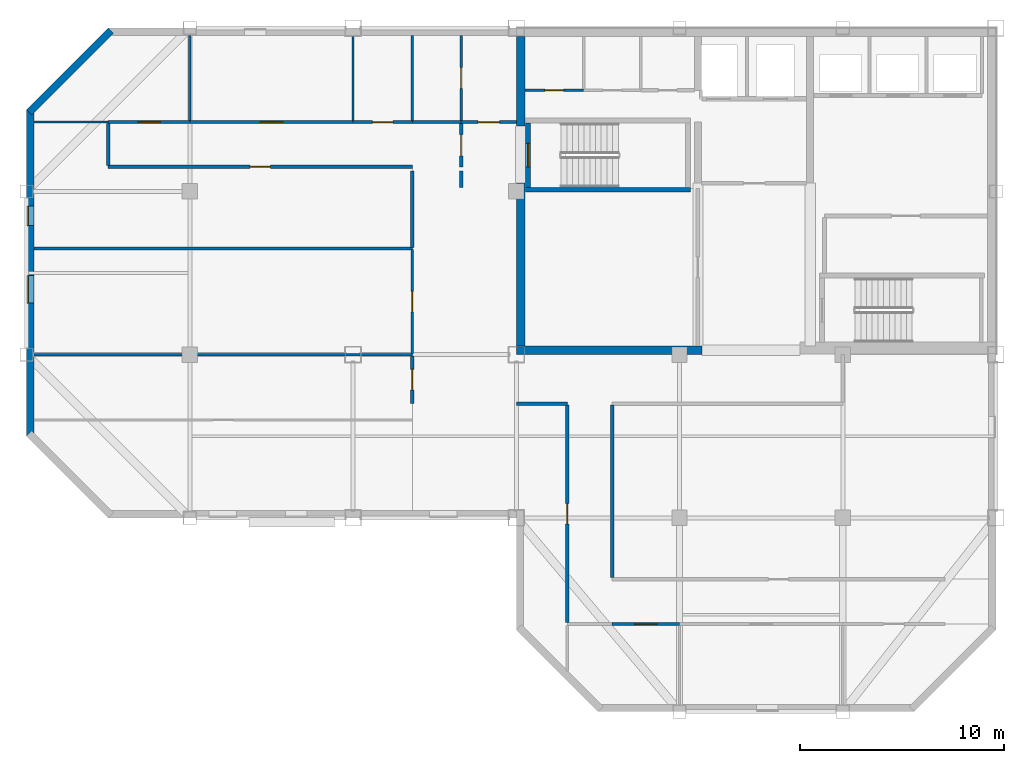
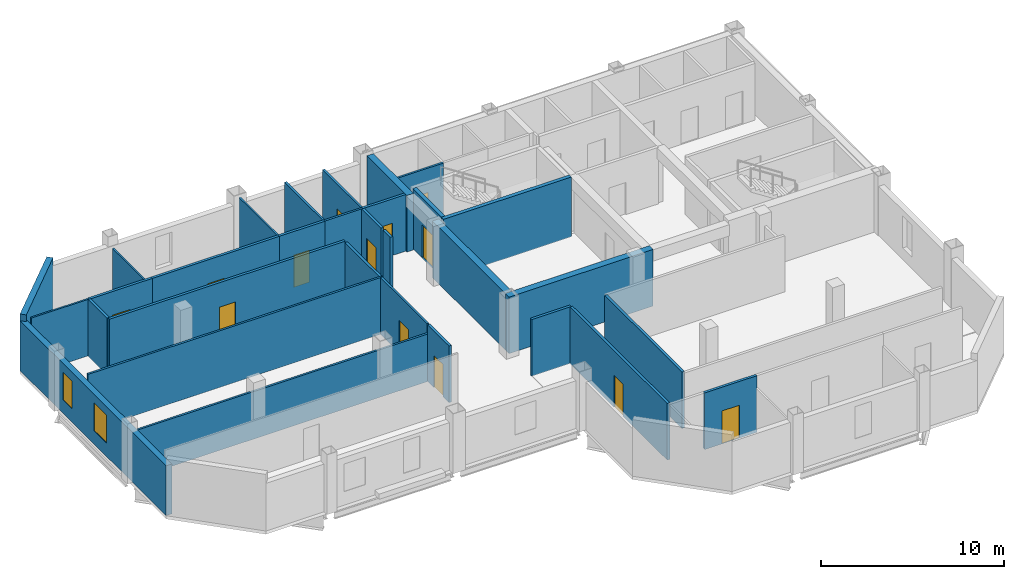
# One storey, part 2 of 7: 31 walls, 13 doors, 2 windows, 15 openings.
"""IFC4 building model written with IfcOpenShell, lengths in metres."""

from ifc_helpers import new_model, si_unit, direction, frame, frame_2d, origin, place, context, subcontext, project, spatial, rectangle, extrude, material, layer, layer_set, type_object, element, fill, save


model = new_model("IFC4")

# Units and contexts
model_context = context("Model", 3, precision=1e-05, world=origin(), true_north=direction((0.0, 1.0)))
body_context = subcontext(model_context, "Body", "Model", "MODEL_VIEW")
ifc_project = project(units=[si_unit("LENGTHUNIT", "METRE"), si_unit("AREAUNIT", "SQUARE_METRE"), si_unit("VOLUMEUNIT", "CUBIC_METRE"), si_unit("PLANEANGLEUNIT", "RADIAN"), si_unit("MASSUNIT", "GRAM", prefix="KILO")], contexts=[model_context])

# Site, building, storey
site_placement = place(None, origin())
site = spatial("IfcSite", under=ifc_project, at=site_placement, CompositionType="ELEMENT")
building_placement = place(site_placement, origin())
building = spatial("IfcBuilding", under=site, at=building_placement, Name="Qianrong Seaharbour Tower", CompositionType="ELEMENT")
storey_placement = place(building_placement, frame((0.0, 0.0, 303.199951171875)))
storey = spatial("IfcBuildingStorey", under=building, at=storey_placement, Name="L73", CompositionType="ELEMENT", Elevation=303.199951171875)

# Walls
ifc_material_1 = material(Name="Concrete C50/60", Category="concrete")
ifc_layer_1 = layer(ifc_material_1, 0.419921875)
ifc_layer_set_1 = layer_set([ifc_layer_1], Name="Concrete C50/60")
wall_type_1 = type_object("IfcWallType", Name="WALL-CORE-420", PredefinedType="SHEAR", material=ifc_layer_set_1)
wall_1_placement = place(storey_placement, frame((40.7099609375, 36.419921875, 0.0), z_axis=(0.0, 0.0, 1.0), x_axis=(0.0, 1.0, 0.0)))
element("IfcWall", 1, at=wall_1_placement, inside=storey, type_object=wall_type_1, Name="L73 West Core Shear Wall South", PredefinedType="SHEAR", context=body_context, shape_type="SweptSolid", body=[
    extrude(rectangle(XDim=7.97998046875, YDim=0.419921875, at=frame_2d((3.989990234375, 0.0))), origin(), (0.0, 0.0, 1.0), 3.78515625),
])
wall_2_placement = place(storey_placement, frame((40.7099609375, 47.199951171875, 0.0), z_axis=(0.0, 0.0, 1.0), x_axis=(0.0, 1.0, 0.0)))
element("IfcWall", 2, at=wall_2_placement, inside=storey, type_object=wall_type_1, Name="L73 West Core Shear Wall North", PredefinedType="SHEAR", context=body_context, shape_type="SweptSolid", body=[
    extrude(rectangle(XDim=4.380126953125, YDim=0.419921875, at=frame_2d((2.18994140625, 0.0))), origin(), (0.0, 0.0, 1.0), 3.78515625),
])
wall_3_placement = place(storey_placement, frame((40.5, 36.2099609375, 0.0), z_axis=(0.0, 0.0, 1.0), x_axis=(1.0, 0.0, 0.0)))
element("IfcWall", 3, at=wall_3_placement, inside=storey, type_object=wall_type_1, Name="L73 South Core Shear Wall S1", PredefinedType="SHEAR", context=body_context, shape_type="SweptSolid", body=[
    extrude(rectangle(XDim=9.10009765625, YDim=0.419921875, at=frame_2d((4.550048828125, 0.0))), origin(), (0.0, 0.0, 1.0), 3.78515625),
])

# Wall, opening, door
ifc_material_2 = material(Name="Fire-rated acoustic gypsum board partition")
ifc_layer_2 = layer(ifc_material_2, 0.1650390625)
ifc_layer_set_2 = layer_set([ifc_layer_2], Name="Fire-rated acoustic gypsum board partition")
wall_type_2 = type_object("IfcWallType", Name="WALL-CORR-PART-165", PredefinedType="PARTITIONING", material=ifc_layer_set_2)
wall_4_placement = place(storey_placement, frame((37.800048828125, 47.39990234375, 0.0), z_axis=(0.0, 0.0, 1.0), x_axis=(1.0, 0.0, 0.0)))
wall_4 = element("IfcWall", 4, at=wall_4_placement, inside=storey, type_object=wall_type_2, Name="L73 Interior Partition Wall 001", PredefinedType="PARTITIONING", context=body_context, shape_type="SweptSolid", body=[
    extrude(rectangle(XDim=2.699951171875, YDim=0.1650390625, at=frame_2d((1.35009765625, 0.0))), origin(), (0.0, 0.0, 1.0), 3.78515625),
])
opening_1_placement = place(wall_4_placement, frame((0.824951171875, 0.0, 0.0)))
opening_1 = element("IfcOpeningElement", 5, at=opening_1_placement, cuts=wall_4, Name="Opening DC-01", PredefinedType="OPENING", context=body_context, shape_type="SweptSolid", body=[
    extrude(rectangle(XDim=1.050048828125, YDim=2.14990234375, at=frame_2d((0.52490234375, 1.074951171875))), frame((0.0, 0.092529296875, 0.0), z_axis=(0.0, -1.0, 0.0), x_axis=(1.0, 0.0, 0.0)), (0.0, 0.0, 1.0), 0.18505859375),
])
ifc_material_3 = material(Name="Acoustic timber and galvanized steel fire door assembly", Category="steel")
door_type_1 = type_object("IfcDoorType", Name="DOOR-CORR-FD60-1050x2150", OperationType="NOTDEFINED", PredefinedType="DOOR", material=ifc_material_3)
door_1_placement = place(opening_1_placement, origin())
door_1 = element("IfcDoor", 6, at=door_1_placement, inside=storey, type_object=door_type_1, Name="L73 Smokeproof Stair Vestibule ST-1 Door", OperationType="SINGLE_SWING_LEFT", OverallHeight=2.14990234375, OverallWidth=1.050048828125, PredefinedType="DOOR", context=body_context, shape_type="SweptSolid", body=[
    extrude(rectangle(XDim=1.050048828125, YDim=2.14990234375, at=frame_2d((0.52490234375, 1.074951171875))), frame((0.0, 0.02490234375, 0.0), z_axis=(0.0, -1.0, 0.0), x_axis=(1.0, 0.0, 0.0)), (0.0, 0.0, 1.0), 0.050048828125),
])
fill(opening_1, door_1)

wall_5_placement = place(storey_placement, frame((37.800048828125, 45.199951171875, 0.0), z_axis=(0.0, 0.0, 1.0), x_axis=(0.0, 1.0, 0.0)))
wall_5 = element("IfcWall", 7, at=wall_5_placement, inside=storey, type_object=wall_type_2, Name="L73 Interior Partition Wall 002", PredefinedType="PARTITIONING", context=body_context, shape_type="SweptSolid", body=[
    extrude(rectangle(XDim=2.12548828125, YDim=0.1650390625, at=frame_2d((1.062744140625, 0.0))), origin(), (0.0, 0.0, 1.0), 3.78515625),
])
opening_2_placement = place(wall_5_placement, frame((0.537841796875, 0.0, 0.0)))
opening_2 = element("IfcOpeningElement", 8, at=opening_2_placement, cuts=wall_5, Name="Opening DC-01", PredefinedType="OPENING", context=body_context, shape_type="SweptSolid", body=[
    extrude(rectangle(XDim=1.050048828125, YDim=2.14990234375, at=frame_2d((0.52490234375, 1.074951171875))), frame((0.0, 0.092529296875, 0.0), z_axis=(0.0, -1.0, 0.0), x_axis=(1.0, 0.0, 0.0)), (0.0, 0.0, 1.0), 0.18505859375),
])
door_2_placement = place(opening_2_placement, origin())
door_2 = element("IfcDoor", 9, at=door_2_placement, inside=storey, type_object=door_type_1, Name="L73 Smokeproof Stair Vestibule ST-1 Door", OperationType="SINGLE_SWING_RIGHT", OverallHeight=2.14990234375, OverallWidth=1.050048828125, PredefinedType="DOOR", context=body_context, shape_type="SweptSolid", body=[
    extrude(rectangle(XDim=1.050048828125, YDim=2.14990234375, at=frame_2d((0.52490234375, 1.074951171875))), frame((0.0, 0.02490234375, 0.0), z_axis=(0.0, -1.0, 0.0), x_axis=(1.0, 0.0, 0.0)), (0.0, 0.0, 1.0), 0.050048828125),
])
fill(opening_2, door_2)

# Wall
wall_6_placement = place(storey_placement, frame((37.800048828125, 44.199951171875, 0.0), z_axis=(0.0, 0.0, 1.0), x_axis=(0.0, 1.0, 0.0)))
element("IfcWall", 10, at=wall_6_placement, inside=storey, type_object=wall_type_2, Name="L73 Interior Partition Wall 003", PredefinedType="PARTITIONING", context=body_context, shape_type="SweptSolid", body=[
    extrude(rectangle(XDim=0.800048828125, YDim=0.1650390625, at=frame_2d((0.39990234375, 0.0))), origin(), (0.0, 0.0, 1.0), 3.78515625),
])

# Wall, opening, door
wall_7_placement = place(storey_placement, frame((20.5, 47.39990234375, 0.0), z_axis=(0.0, 0.0, 1.0), x_axis=(1.0, 0.0, 0.0)))
wall_7 = element("IfcWall", 11, at=wall_7_placement, inside=storey, type_object=wall_type_2, Name="L73 Interior Partition Wall 016", PredefinedType="PARTITIONING", context=body_context, shape_type="SweptSolid", body=[
    extrude(rectangle(XDim=4.0, YDim=0.1650390625, at=frame_2d((2.0, 0.0))), origin(), (0.0, 0.0, 1.0), 3.78515625),
])
opening_3_placement = place(wall_7_placement, frame((1.449951171875, 0.0, 0.0)))
opening_3 = element("IfcOpeningElement", 12, at=opening_3_placement, cuts=wall_7, Name="Opening DM-01", PredefinedType="OPENING", context=body_context, shape_type="SweptSolid", body=[
    extrude(rectangle(XDim=1.10009765625, YDim=2.199951171875, at=frame_2d((0.550048828125, 1.10009765625))), frame((0.0, 0.092529296875, 0.0), z_axis=(0.0, -1.0, 0.0), x_axis=(1.0, 0.0, 0.0)), (0.0, 0.0, 1.0), 0.18505859375),
])
door_type_2 = type_object("IfcDoorType", Name="DOOR-MEET-1100x2200", OperationType="NOTDEFINED", PredefinedType="DOOR", material=ifc_material_3)
door_3_placement = place(opening_3_placement, origin())
door_3 = element("IfcDoor", 13, at=door_3_placement, inside=storey, type_object=door_type_2, Name="L73 Boardroom 1 Door", OperationType="SINGLE_SWING_LEFT", OverallHeight=2.199951171875, OverallWidth=1.10009765625, PredefinedType="DOOR", context=body_context, shape_type="SweptSolid", body=[
    extrude(rectangle(XDim=1.10009765625, YDim=2.199951171875, at=frame_2d((0.550048828125, 1.10009765625))), frame((0.0, 0.02490234375, 0.0), z_axis=(0.0, -1.0, 0.0), x_axis=(1.0, 0.0, 0.0)), (0.0, 0.0, 1.0), 0.050048828125),
])
fill(opening_3, door_3)

wall_8_placement = place(storey_placement, frame((24.5, 47.39990234375, 0.0), z_axis=(0.0, 0.0, 1.0), x_axis=(1.0, 0.0, 0.0)))
wall_8 = element("IfcWall", 14, at=wall_8_placement, inside=storey, type_object=wall_type_2, Name="L73 Interior Partition Wall 017", PredefinedType="PARTITIONING", context=body_context, shape_type="SweptSolid", body=[
    extrude(rectangle(XDim=8.0, YDim=0.1650390625, at=frame_2d((4.0, 0.0))), origin(), (0.0, 0.0, 1.0), 3.78515625),
])
opening_4_placement = place(wall_8_placement, frame((3.449951171875, 0.0, 0.0)))
opening_4 = element("IfcOpeningElement", 15, at=opening_4_placement, cuts=wall_8, Name="Opening DM-01", PredefinedType="OPENING", context=body_context, shape_type="SweptSolid", body=[
    extrude(rectangle(XDim=1.10009765625, YDim=2.199951171875, at=frame_2d((0.550048828125, 1.10009765625))), frame((0.0, 0.092529296875, 0.0), z_axis=(0.0, -1.0, 0.0), x_axis=(1.0, 0.0, 0.0)), (0.0, 0.0, 1.0), 0.18505859375),
])
door_4_placement = place(opening_4_placement, origin())
door_4 = element("IfcDoor", 16, at=door_4_placement, inside=storey, type_object=door_type_2, Name="L73 Meeting Room 2 Door", OperationType="SINGLE_SWING_RIGHT", OverallHeight=2.199951171875, OverallWidth=1.10009765625, PredefinedType="DOOR", context=body_context, shape_type="SweptSolid", body=[
    extrude(rectangle(XDim=1.10009765625, YDim=2.199951171875, at=frame_2d((0.550048828125, 1.10009765625))), frame((0.0, 0.02490234375, 0.0), z_axis=(0.0, -1.0, 0.0), x_axis=(1.0, 0.0, 0.0)), (0.0, 0.0, 1.0), 0.050048828125),
])
fill(opening_4, door_4)

wall_9_placement = place(storey_placement, frame((32.5, 47.39990234375, 0.0), z_axis=(0.0, 0.0, 1.0), x_axis=(1.0, 0.0, 0.0)))
wall_9 = element("IfcWall", 17, at=wall_9_placement, inside=storey, type_object=wall_type_2, Name="L73 Interior Partition Wall 018", PredefinedType="PARTITIONING", context=body_context, shape_type="SweptSolid", body=[
    extrude(rectangle(XDim=2.89990234375, YDim=0.1650390625, at=frame_2d((1.449951171875, 0.0))), origin(), (0.0, 0.0, 1.0), 3.78515625),
])
opening_5_placement = place(wall_9_placement, frame((0.949951171875, 0.0, 0.0)))
opening_5 = element("IfcOpeningElement", 18, at=opening_5_placement, cuts=wall_9, Name="Opening DO-01", PredefinedType="OPENING", context=body_context, shape_type="SweptSolid", body=[
    extrude(rectangle(XDim=1.0, YDim=2.14990234375, at=frame_2d((0.5, 1.074951171875))), frame((0.0, 0.092529296875, 0.0), z_axis=(0.0, -1.0, 0.0), x_axis=(1.0, 0.0, 0.0)), (0.0, 0.0, 1.0), 0.18505859375),
])
door_type_3 = type_object("IfcDoorType", Name="DOOR-OFFICE-1000x2150", OperationType="NOTDEFINED", PredefinedType="DOOR", material=ifc_material_3)
door_5_placement = place(opening_5_placement, origin())
door_5 = element("IfcDoor", 19, at=door_5_placement, inside=storey, type_object=door_type_3, Name="L73 Project Library 3 Door", OperationType="SINGLE_SWING_LEFT", OverallHeight=2.14990234375, OverallWidth=1.0, PredefinedType="DOOR", context=body_context, shape_type="SweptSolid", body=[
    extrude(rectangle(XDim=1.0, YDim=2.14990234375, at=frame_2d((0.5, 1.074951171875))), frame((0.0, 0.02490234375, 0.0), z_axis=(0.0, -1.0, 0.0), x_axis=(1.0, 0.0, 0.0)), (0.0, 0.0, 1.0), 0.050048828125),
])
fill(opening_5, door_5)

wall_10_placement = place(storey_placement, frame((35.39990234375, 45.199951171875, 0.0), z_axis=(0.0, 0.0, 1.0), x_axis=(-1.0, 0.0, 0.0)))
wall_10 = element("IfcWall", 20, at=wall_10_placement, inside=storey, type_object=wall_type_2, Name="L73 Interior Partition Wall 019", PredefinedType="PARTITIONING", context=body_context, shape_type="SweptSolid", body=[
    extrude(rectangle(XDim=14.89990234375, YDim=0.1650390625, at=frame_2d((7.449951171875, 0.0))), origin(), (0.0, 0.0, 1.0), 3.78515625),
])
opening_6_placement = place(wall_10_placement, frame((6.949951171875, 0.0, 0.0)))
opening_6 = element("IfcOpeningElement", 21, at=opening_6_placement, cuts=wall_10, Name="Opening DO-01", PredefinedType="OPENING", context=body_context, shape_type="SweptSolid", body=[
    extrude(rectangle(XDim=1.0, YDim=2.14990234375, at=frame_2d((0.5, 1.074951171875))), frame((0.0, 0.092529296875, 0.0), z_axis=(0.0, -1.0, 0.0), x_axis=(1.0, 0.0, 0.0)), (0.0, 0.0, 1.0), 0.18505859375),
])
door_6_placement = place(opening_6_placement, origin())
door_6 = element("IfcDoor", 22, at=door_6_placement, inside=storey, type_object=door_type_3, Name="L73 Harbour Lecture Hall 4 Door", OperationType="SINGLE_SWING_LEFT", OverallHeight=2.14990234375, OverallWidth=1.0, PredefinedType="DOOR", context=body_context, shape_type="SweptSolid", body=[
    extrude(rectangle(XDim=1.0, YDim=2.14990234375, at=frame_2d((0.5, 1.074951171875))), frame((0.0, 0.02490234375, 0.0), z_axis=(0.0, -1.0, 0.0), x_axis=(1.0, 0.0, 0.0)), (0.0, 0.0, 1.0), 0.050048828125),
])
fill(opening_6, door_6)

# Wall
wall_11_placement = place(storey_placement, frame((20.5, 45.2744140625, 0.0), z_axis=(0.0, 0.0, 1.0), x_axis=(0.0, 1.0, 0.0)))
element("IfcWall", 23, at=wall_11_placement, inside=storey, type_object=wall_type_2, Name="L73 Interior Partition Wall 020", PredefinedType="PARTITIONING", context=body_context, shape_type="SweptSolid", body=[
    extrude(rectangle(XDim=2.051025390625, YDim=0.1650390625, at=frame_2d((1.025390625, 0.0))), origin(), (0.0, 0.0, 1.0), 3.78515625),
])

# Wall, opening, door
wall_12_placement = place(storey_placement, frame((35.39990234375, 33.60009765625, 0.0), z_axis=(0.0, 0.0, 1.0), x_axis=(0.0, 1.0, 0.0)))
wall_12 = element("IfcWall", 24, at=wall_12_placement, inside=storey, type_object=wall_type_2, Name="L73 Interior Partition Wall 021", PredefinedType="PARTITIONING", context=body_context, shape_type="SweptSolid", body=[
    extrude(rectangle(XDim=2.343017578125, YDim=0.1650390625, at=frame_2d((1.17138671875, 0.0))), origin(), (0.0, 0.0, 1.0), 3.78515625),
])
opening_7_placement = place(wall_12_placement, frame((0.67138671875, 0.0, 0.0)))
opening_7 = element("IfcOpeningElement", 25, at=opening_7_placement, cuts=wall_12, Name="Opening DO-01", PredefinedType="OPENING", context=body_context, shape_type="SweptSolid", body=[
    extrude(rectangle(XDim=1.0, YDim=2.14990234375, at=frame_2d((0.5, 1.074951171875))), frame((0.0, 0.092529296875, 0.0), z_axis=(0.0, -1.0, 0.0), x_axis=(1.0, 0.0, 0.0)), (0.0, 0.0, 1.0), 0.18505859375),
])
door_7_placement = place(opening_7_placement, origin())
door_7 = element("IfcDoor", 26, at=door_7_placement, inside=storey, type_object=door_type_3, Name="L73 Division Conference Gallery 2 Door", OperationType="SINGLE_SWING_LEFT", OverallHeight=2.14990234375, OverallWidth=1.0, PredefinedType="DOOR", context=body_context, shape_type="SweptSolid", body=[
    extrude(rectangle(XDim=1.0, YDim=2.14990234375, at=frame_2d((0.5, 1.074951171875))), frame((0.0, 0.02490234375, 0.0), z_axis=(0.0, -1.0, 0.0), x_axis=(1.0, 0.0, 0.0)), (0.0, 0.0, 1.0), 0.050048828125),
])
fill(opening_7, door_7)

# Walls
wall_13_placement = place(storey_placement, frame((35.39990234375, 41.257080078125, 0.0), z_axis=(0.0, 0.0, 1.0), x_axis=(0.0, 1.0, 0.0)))
element("IfcWall", 27, at=wall_13_placement, inside=storey, type_object=wall_type_2, Name="L73 Interior Partition Wall 023", PredefinedType="PARTITIONING", context=body_context, shape_type="SweptSolid", body=[
    extrude(rectangle(XDim=3.742919921875, YDim=0.1650390625, at=frame_2d((1.87158203125, 0.0))), origin(), (0.0, 0.0, 1.0), 3.78515625),
])
wall_14_placement = place(storey_placement, frame((43.0, 33.60009765625, 0.0), z_axis=(0.0, 0.0, 1.0), x_axis=(-1.0, 0.0, 0.0)))
element("IfcWall", 28, at=wall_14_placement, inside=storey, type_object=wall_type_2, Name="L73 Interior Partition Wall 026", PredefinedType="PARTITIONING", context=body_context, shape_type="SweptSolid", body=[
    extrude(rectangle(XDim=2.5, YDim=0.1650390625, at=frame_2d((1.25, 0.0))), origin(), (0.0, 0.0, 1.0), 3.78515625),
])
wall_15_placement = place(storey_placement, frame((45.199951171875, 33.525390625, 0.0), z_axis=(0.0, 0.0, 1.0), x_axis=(0.0, -1.0, 0.0)))
element("IfcWall", 29, at=wall_15_placement, inside=storey, type_object=wall_type_2, Name="L73 Interior Partition Wall 027", PredefinedType="PARTITIONING", context=body_context, shape_type="SweptSolid", body=[
    extrude(rectangle(XDim=8.450927734375, YDim=0.1650390625, at=frame_2d((4.2255859375, 0.0))), origin(), (0.0, 0.0, 1.0), 3.78515625),
])

# Wall, opening, door
wall_16_placement = place(storey_placement, frame((43.0, 22.87451171875, 0.0), z_axis=(0.0, 0.0, 1.0), x_axis=(0.0, 1.0, 0.0)))
wall_16 = element("IfcWall", 30, at=wall_16_placement, inside=storey, type_object=wall_type_2, Name="L73 Interior Partition Wall 028", PredefinedType="PARTITIONING", context=body_context, shape_type="SweptSolid", body=[
    extrude(rectangle(XDim=10.65087890625, YDim=0.1650390625, at=frame_2d((5.325439453125, 0.0))), origin(), (0.0, 0.0, 1.0), 3.78515625),
])
opening_8_placement = place(wall_16_placement, frame((4.825439453125, 0.0, 0.0)))
opening_8 = element("IfcOpeningElement", 31, at=opening_8_placement, cuts=wall_16, Name="Opening DO-01", PredefinedType="OPENING", context=body_context, shape_type="SweptSolid", body=[
    extrude(rectangle(XDim=1.0, YDim=2.14990234375, at=frame_2d((0.5, 1.074951171875))), frame((0.0, 0.092529296875, 0.0), z_axis=(0.0, -1.0, 0.0), x_axis=(1.0, 0.0, 0.0)), (0.0, 0.0, 1.0), 0.18505859375),
])
door_8_placement = place(opening_8_placement, origin())
door_8 = element("IfcDoor", 32, at=door_8_placement, inside=storey, type_object=door_type_3, Name="L73 West Spine Open-Plan Office Door", OperationType="SINGLE_SWING_RIGHT", OverallHeight=2.14990234375, OverallWidth=1.0, PredefinedType="DOOR", context=body_context, shape_type="SweptSolid", body=[
    extrude(rectangle(XDim=1.0, YDim=2.14990234375, at=frame_2d((0.5, 1.074951171875))), frame((0.0, 0.02490234375, 0.0), z_axis=(0.0, -1.0, 0.0), x_axis=(1.0, 0.0, 0.0)), (0.0, 0.0, 1.0), 0.050048828125),
])
fill(opening_8, door_8)

wall_17_placement = place(storey_placement, frame((48.5, 22.800048828125, 0.0), z_axis=(0.0, 0.0, 1.0), x_axis=(-1.0, 0.0, 0.0)))
wall_17 = element("IfcWall", 33, at=wall_17_placement, inside=storey, type_object=wall_type_2, Name="L73 Interior Partition Wall 031", PredefinedType="PARTITIONING", context=body_context, shape_type="SweptSolid", body=[
    extrude(rectangle(XDim=3.300048828125, YDim=0.1650390625, at=frame_2d((1.64990234375, 0.0))), origin(), (0.0, 0.0, 1.0), 3.78515625),
])
opening_9_placement = place(wall_17_placement, frame((1.10009765625, 0.0, 0.0)))
opening_9 = element("IfcOpeningElement", 34, at=opening_9_placement, cuts=wall_17, Name="Opening DM-01", PredefinedType="OPENING", context=body_context, shape_type="SweptSolid", body=[
    extrude(rectangle(XDim=1.10009765625, YDim=2.199951171875, at=frame_2d((0.550048828125, 1.10009765625))), frame((0.0, 0.092529296875, 0.0), z_axis=(0.0, -1.0, 0.0), x_axis=(1.0, 0.0, 0.0)), (0.0, 0.0, 1.0), 0.18505859375),
])
door_9_placement = place(opening_9_placement, origin())
door_9 = element("IfcDoor", 35, at=door_9_placement, inside=storey, type_object=door_type_2, Name="L73 Maritime Seminar Room 1 Door", OperationType="SINGLE_SWING_RIGHT", OverallHeight=2.199951171875, OverallWidth=1.10009765625, PredefinedType="DOOR", context=body_context, shape_type="SweptSolid", body=[
    extrude(rectangle(XDim=1.10009765625, YDim=2.199951171875, at=frame_2d((0.550048828125, 1.10009765625))), frame((0.0, 0.02490234375, 0.0), z_axis=(0.0, -1.0, 0.0), x_axis=(1.0, 0.0, 0.0)), (0.0, 0.0, 1.0), 0.050048828125),
])
fill(opening_9, door_9)

# Walls
ifc_material_4 = material(Name="Demountable aluminium-framed acoustic office partition", Category="aluminium")
ifc_layer_3 = layer(ifc_material_4, 0.110107421875)
ifc_layer_set_3 = layer_set([ifc_layer_3], Name="Demountable aluminium-framed acoustic office partition")
wall_type_3 = type_object("IfcWallType", Name="WALL-DEMOUNT-110", PredefinedType="MOVABLE", material=ifc_layer_set_3)
wall_18_placement = place(storey_placement, frame((24.5, 51.64794921875, 0.0), z_axis=(0.0, 0.0, 1.0), x_axis=(0.0, -1.0, 0.0)))
element("IfcWall", 36, at=wall_18_placement, inside=storey, type_object=wall_type_3, Name="L73 Interior Partition Wall 035", PredefinedType="MOVABLE", context=body_context, shape_type="SweptSolid", body=[
    extrude(rectangle(XDim=4.17333984375, YDim=0.110107421875, at=frame_2d((2.086669921875, 0.0))), origin(), (0.0, 0.0, 1.0), 3.177001953125),
])
wall_19_placement = place(storey_placement, frame((20.5, 47.39990234375, 0.0), z_axis=(0.0, 0.0, 1.0), x_axis=(-1.0, 0.0, 0.0)))
element("IfcWall", 37, at=wall_19_placement, inside=storey, type_object=wall_type_3, Name="L73 Interior Partition Wall 036", PredefinedType="MOVABLE", context=body_context, shape_type="SweptSolid", body=[
    extrude(rectangle(XDim=3.64794921875, YDim=0.110107421875, at=frame_2d((1.823974609375, 0.0))), origin(), (0.0, 0.0, 1.0), 3.78515625),
])
wall_20_placement = place(storey_placement, frame((32.5, 51.64794921875, 0.0), z_axis=(0.0, 0.0, 1.0), x_axis=(0.0, -1.0, 0.0)))
element("IfcWall", 38, at=wall_20_placement, inside=storey, type_object=wall_type_3, Name="L73 Interior Partition Wall 037", PredefinedType="MOVABLE", context=body_context, shape_type="SweptSolid", body=[
    extrude(rectangle(XDim=4.17333984375, YDim=0.110107421875, at=frame_2d((2.086669921875, 0.0))), origin(), (0.0, 0.0, 1.0), 3.78515625),
])

# Wall, openings, windows
ifc_material_5 = material(Name="Unitised red brick on Precast concrete C45/55", Category="masonry")
ifc_layer_4 = layer(ifc_material_5, 0.360107421875)
ifc_layer_set_4 = layer_set([ifc_layer_4], Name="Unitised red brick on Precast concrete C45/55")
wall_type_4 = type_object("IfcWallType", Name="WALL-EXT-BRICK-RED-360", PredefinedType="SOLIDWALL", material=ifc_layer_set_4)
wall_21_placement = place(storey_placement, frame((16.679931640625, 32.0, 0.0), z_axis=(0.0, 0.0, 1.0), x_axis=(0.0, 1.0, 0.0)))
wall_21 = element("IfcWall", 39, at=wall_21_placement, inside=storey, type_object=wall_type_4, Name="L73 Exterior Masonry Facade Wall WEST_TIP", PredefinedType="SOLIDWALL", context=body_context, shape_type="SweptSolid", body=[
    extrude(rectangle(XDim=16.0, YDim=0.360107421875, at=frame_2d((8.0, 0.0))), origin(), (0.0, 0.0, 1.0), 3.3349609375),
])
opening_10_placement = place(wall_21_placement, frame((6.52490234375, 0.0, 0.89990234375)))
opening_10 = element("IfcOpeningElement", 40, at=opening_10_placement, cuts=wall_21, Name="Opening WN-02", PredefinedType="OPENING", context=body_context, shape_type="SweptSolid", body=[
    extrude(rectangle(XDim=1.35009765625, YDim=1.85009765625, at=frame_2d((0.675048828125, 0.925048828125))), frame((0.0, 0.18994140625, 0.0), z_axis=(0.0, -1.0, 0.0), x_axis=(1.0, 0.0, 0.0)), (0.0, 0.0, 1.0), 0.380126953125),
])
opening_11_placement = place(wall_21_placement, frame((10.324951171875, 0.0, 0.89990234375)))
opening_11 = element("IfcOpeningElement", 41, at=opening_11_placement, cuts=wall_21, Name="Opening WN-13", PredefinedType="OPENING", context=body_context, shape_type="SweptSolid", body=[
    extrude(rectangle(XDim=0.949951171875, YDim=1.85009765625, at=frame_2d((0.47509765625, 0.925048828125))), frame((0.0, 0.18994140625, 0.0), z_axis=(0.0, -1.0, 0.0), x_axis=(1.0, 0.0, 0.0)), (0.0, 0.0, 1.0), 0.380126953125),
])
ifc_material_6 = material(Name="Insulated low-e double glazing in thermally broken aluminium 6063-T6 frame", Category="aluminium")
window_type_1 = type_object("IfcWindowType", Name="WIN-NARROW-950x1850", PartitioningType="SINGLE_PANEL", PredefinedType="WINDOW", material=ifc_material_6)
window_1_placement = place(opening_11_placement, origin())
window_1 = element("IfcWindow", 42, at=window_1_placement, inside=storey, type_object=window_type_1, Name="L73 Deep-Set Punched Window 03.03", OverallHeight=1.85009765625, OverallWidth=0.949951171875, PartitioningType="SINGLE_PANEL", PredefinedType="WINDOW", context=body_context, shape_type="SweptSolid", body=[
    extrude(rectangle(XDim=0.949951171875, YDim=1.85009765625, at=frame_2d((0.47509765625, 0.925048828125))), frame((0.0, 0.150146484375, 0.0), z_axis=(0.0, -1.0, 0.0), x_axis=(1.0, 0.0, 0.0)), (0.0, 0.0, 1.0), 0.06005859375),
])
fill(opening_11, window_1)
window_type_2 = type_object("IfcWindowType", Name="WIN-PUNCH-1350x1850", PartitioningType="DOUBLE_PANEL_VERTICAL", PredefinedType="WINDOW", material=ifc_material_6)
window_2_placement = place(opening_10_placement, origin())
window_2 = element("IfcWindow", 43, at=window_2_placement, inside=storey, type_object=window_type_2, Name="L73 Deep-Set Punched Window 03.02", OverallHeight=1.85009765625, OverallWidth=1.35009765625, PartitioningType="DOUBLE_PANEL_VERTICAL", PredefinedType="WINDOW", context=body_context, shape_type="SweptSolid", body=[
    extrude(rectangle(XDim=1.35009765625, YDim=1.85009765625, at=frame_2d((0.675048828125, 0.925048828125))), frame((0.0, 0.150146484375, 0.0), z_axis=(0.0, -1.0, 0.0), x_axis=(1.0, 0.0, 0.0)), (0.0, 0.0, 1.0), 0.06005859375),
])
fill(opening_10, window_2)

# Walls
wall_22_placement = place(storey_placement, frame((16.627197265625, 47.872802734375, 0.0), z_axis=(0.0, 0.0, 1.0), x_axis=(0.707106781187, 0.707106781187, 0.0)))
element("IfcWall", 44, at=wall_22_placement, inside=storey, type_object=wall_type_4, Name="L73 Exterior Masonry Facade Wall E04", PredefinedType="SOLIDWALL", context=body_context, shape_type="SweptSolid", body=[
    extrude(rectangle(XDim=5.65673828125, YDim=0.360107421875, at=frame_2d((2.828369140625, 0.0))), origin(), (0.0, 0.0, 1.0), 3.78515625),
])
ifc_layer_5 = layer(ifc_material_1, 0.239990234375)
ifc_layer_set_5 = layer_set([ifc_layer_5], Name="Concrete C50/60")
wall_type_5 = type_object("IfcWallType", Name="WALL-SHAFT-RC240", PredefinedType="SOLIDWALL", material=ifc_layer_set_5)
wall_23_placement = place(storey_placement, frame((49.0400390625, 44.080078125, 0.0), z_axis=(0.0, 0.0, 1.0), x_axis=(-1.0, 0.0, 0.0)))
element("IfcWall", 45, at=wall_23_placement, inside=storey, type_object=wall_type_5, Name="L73 ST-1 Structural Stair Core Wall S", PredefinedType="SOLIDWALL", context=body_context, shape_type="SweptSolid", body=[
    extrude(rectangle(XDim=8.080078125, YDim=0.239990234375, at=frame_2d((4.0400390625, 0.0))), origin(), (0.0, 0.0, 1.0), 4.0),
])

# Wall, opening, door
wall_24_placement = place(storey_placement, frame((41.080078125, 47.35009765625, 0.0), z_axis=(0.0, 0.0, 1.0), x_axis=(0.0, -1.0, 0.0)))
wall_24 = element("IfcWall", 46, at=wall_24_placement, inside=storey, type_object=wall_type_5, Name="L73 ST-1 Structural Stair Core Wall W", PredefinedType="SOLIDWALL", context=body_context, shape_type="SweptSolid", body=[
    extrude(rectangle(XDim=3.150146484375, YDim=0.239990234375, at=frame_2d((1.5751953125, 0.0))), origin(), (0.0, 0.0, 1.0), 4.0),
])
opening_12_placement = place(wall_24_placement, frame((1.0, 0.0, 0.0)))
opening_12 = element("IfcOpeningElement", 47, at=opening_12_placement, cuts=wall_24, Name="Opening SD-01", PredefinedType="OPENING", context=body_context, shape_type="SweptSolid", body=[
    extrude(rectangle(XDim=1.14990234375, YDim=2.199951171875, at=frame_2d((0.574951171875, 1.10009765625))), frame((0.0, 0.1298828125, 0.0), z_axis=(0.0, -1.0, 0.0), x_axis=(1.0, 0.0, 0.0)), (0.0, 0.0, 1.0), 0.260009765625),
])
door_type_4 = type_object("IfcDoorType", Name="DOOR-STAIR-FD60-1150x2200", OperationType="NOTDEFINED", PredefinedType="DOOR", material=ifc_material_3)
door_10_placement = place(opening_12_placement, origin())
door_10 = element("IfcDoor", 48, at=door_10_placement, inside=storey, type_object=door_type_4, Name="L73 ST-1 Protected Stair Door", OperationType="SINGLE_SWING_RIGHT", OverallHeight=2.199951171875, OverallWidth=1.14990234375, PredefinedType="DOOR", context=body_context, shape_type="SweptSolid", body=[
    extrude(rectangle(XDim=1.14990234375, YDim=2.199951171875, at=frame_2d((0.574951171875, 1.10009765625))), frame((0.0, 0.02490234375, 0.0), z_axis=(0.0, -1.0, 0.0), x_axis=(1.0, 0.0, 0.0)), (0.0, 0.0, 1.0), 0.050048828125),
])
fill(opening_12, door_10)

ifc_material_7 = material(Name="Water-resistant cement board sanitary partition")
ifc_layer_6 = layer(ifc_material_7, 0.1298828125)
ifc_layer_set_6 = layer_set([ifc_layer_6], Name="Water-resistant cement board sanitary partition")
wall_type_6 = type_object("IfcWallType", Name="WALL-WET-PART-130", PredefinedType="PARTITIONING", material=ifc_layer_set_6)
wall_25_placement = place(storey_placement, frame((37.800048828125, 47.474609375, 0.0), z_axis=(0.0, 0.0, 1.0), x_axis=(0.0, 1.0, 0.0)))
wall_25 = element("IfcWall", 49, at=wall_25_placement, inside=storey, type_object=wall_type_6, Name="L73 Interior Partition Wall 004", PredefinedType="PARTITIONING", context=body_context, shape_type="SweptSolid", body=[
    extrude(rectangle(XDim=4.17333984375, YDim=0.1298828125, at=frame_2d((2.086669921875, 0.0))), origin(), (0.0, 0.0, 1.0), 3.78515625),
])
opening_13_placement = place(wall_25_placement, frame((1.57666015625, 0.0, 0.0)))
opening_13 = element("IfcOpeningElement", 50, at=opening_13_placement, cuts=wall_25, Name="Opening DAW-01", PredefinedType="OPENING", context=body_context, shape_type="SweptSolid", body=[
    extrude(rectangle(XDim=1.02001953125, YDim=2.14990234375, at=frame_2d((0.510009765625, 1.074951171875))), frame((0.0, 0.074951171875, 0.0), z_axis=(0.0, -1.0, 0.0), x_axis=(1.0, 0.0, 0.0)), (0.0, 0.0, 1.0), 0.14990234375),
])
door_type_5 = type_object("IfcDoorType", Name="DOOR-AWC-SLIDE-1020x2150", OperationType="SLIDING_TO_LEFT", PredefinedType="DOOR", material=ifc_material_3)
door_11_placement = place(opening_13_placement, origin())
door_11 = element("IfcDoor", 51, at=door_11_placement, inside=storey, type_object=door_type_5, Name="L73 Accessible Restroom WC Door", OperationType="SLIDING_TO_LEFT", OverallHeight=2.14990234375, OverallWidth=1.02001953125, PredefinedType="DOOR", context=body_context, shape_type="SweptSolid", body=[
    extrude(rectangle(XDim=1.02001953125, YDim=2.14990234375, at=frame_2d((0.510009765625, 1.074951171875))), frame((0.0, 0.02490234375, 0.0), z_axis=(0.0, -1.0, 0.0), x_axis=(1.0, 0.0, 0.0)), (0.0, 0.0, 1.0), 0.050048828125),
])
fill(opening_13, door_11)

# Walls
wall_26_placement = place(storey_placement, frame((37.800048828125, 47.39990234375, 0.0), z_axis=(0.0, 0.0, 1.0), x_axis=(-1.0, 0.0, 0.0)))
element("IfcWall", 52, at=wall_26_placement, inside=storey, type_object=wall_type_6, Name="L73 Interior Partition Wall 005", PredefinedType="PARTITIONING", context=body_context, shape_type="SweptSolid", body=[
    extrude(rectangle(XDim=2.400146484375, YDim=0.1298828125, at=frame_2d((1.2001953125, 0.0))), origin(), (0.0, 0.0, 1.0), 3.78515625),
])
wall_27_placement = place(storey_placement, frame((35.39990234375, 47.474609375, 0.0), z_axis=(0.0, 0.0, 1.0), x_axis=(0.0, 1.0, 0.0)))
element("IfcWall", 53, at=wall_27_placement, inside=storey, type_object=wall_type_6, Name="L73 Interior Partition Wall 006", PredefinedType="PARTITIONING", context=body_context, shape_type="SweptSolid", body=[
    extrude(rectangle(XDim=4.17333984375, YDim=0.1298828125, at=frame_2d((2.086669921875, 0.0))), origin(), (0.0, 0.0, 1.0), 3.78515625),
])

# Wall, opening, door
wall_28_placement = place(storey_placement, frame((40.919921875, 48.949951171875, 0.0), z_axis=(0.0, 0.0, 1.0), x_axis=(1.0, 0.0, 0.0)))
wall_28 = element("IfcWall", 54, at=wall_28_placement, inside=storey, type_object=wall_type_6, Name="L73 Interior Partition Wall 007", PredefinedType="PARTITIONING", context=body_context, shape_type="SweptSolid", body=[
    extrude(rectangle(XDim=2.880126953125, YDim=0.1298828125, at=frame_2d((1.43994140625, 0.0))), origin(), (0.0, 0.0, 1.0), 3.78515625),
])
opening_14_placement = place(wall_28_placement, frame((0.97998046875, 0.0, 0.0)))
opening_14 = element("IfcOpeningElement", 55, at=opening_14_placement, cuts=wall_28, Name="Opening DW-01", PredefinedType="OPENING", context=body_context, shape_type="SweptSolid", body=[
    extrude(rectangle(XDim=0.919921875, YDim=2.14990234375, at=frame_2d((0.4599609375, 1.074951171875))), frame((0.0, 0.074951171875, 0.0), z_axis=(0.0, -1.0, 0.0), x_axis=(1.0, 0.0, 0.0)), (0.0, 0.0, 1.0), 0.14990234375),
])
door_type_6 = type_object("IfcDoorType", Name="DOOR-WC-920x2150", OperationType="NOTDEFINED", PredefinedType="DOOR", material=ifc_material_3)
door_12_placement = place(opening_14_placement, origin())
door_12 = element("IfcDoor", 56, at=door_12_placement, inside=storey, type_object=door_type_6, Name="L73 Male Restroom WC Door", OperationType="SINGLE_SWING_RIGHT", OverallHeight=2.14990234375, OverallWidth=0.919921875, PredefinedType="DOOR", context=body_context, shape_type="SweptSolid", body=[
    extrude(rectangle(XDim=0.919921875, YDim=2.14990234375, at=frame_2d((0.4599609375, 1.074951171875))), frame((0.0, 0.02490234375, 0.0), z_axis=(0.0, -1.0, 0.0), x_axis=(1.0, 0.0, 0.0)), (0.0, 0.0, 1.0), 0.050048828125),
])
fill(opening_14, door_12)

wall_29_placement = place(storey_placement, frame((35.39990234375, 36.056884765625, 0.0), z_axis=(0.0, 0.0, 1.0), x_axis=(0.0, 1.0, 0.0)))
wall_29 = element("IfcWall", 57, at=wall_29_placement, inside=storey, type_object=wall_type_6, Name="L73 Interior Partition Wall 022", PredefinedType="PARTITIONING", context=body_context, shape_type="SweptSolid", body=[
    extrude(rectangle(XDim=5.086181640625, YDim=0.1298828125, at=frame_2d((2.54296875, 0.0))), origin(), (0.0, 0.0, 1.0), 3.78515625),
])
opening_15_placement = place(wall_29_placement, frame((2.04296875, 0.0, 0.0)))
opening_15 = element("IfcOpeningElement", 58, at=opening_15_placement, cuts=wall_29, Name="Opening DO-01", PredefinedType="OPENING", context=body_context, shape_type="SweptSolid", body=[
    extrude(rectangle(XDim=1.0, YDim=2.14990234375, at=frame_2d((0.5, 1.074951171875))), frame((0.0, 0.074951171875, 0.0), z_axis=(0.0, -1.0, 0.0), x_axis=(1.0, 0.0, 0.0)), (0.0, 0.0, 1.0), 0.14990234375),
])
door_13_placement = place(opening_15_placement, origin())
door_13 = element("IfcDoor", 59, at=door_13_placement, inside=storey, type_object=door_type_3, Name="L73 Wet Pantry 3 Door", OperationType="SINGLE_SWING_RIGHT", OverallHeight=2.14990234375, OverallWidth=1.0, PredefinedType="DOOR", context=body_context, shape_type="SweptSolid", body=[
    extrude(rectangle(XDim=1.0, YDim=2.14990234375, at=frame_2d((0.5, 1.074951171875))), frame((0.0, 0.02490234375, 0.0), z_axis=(0.0, -1.0, 0.0), x_axis=(1.0, 0.0, 0.0)), (0.0, 0.0, 1.0), 0.050048828125),
])
fill(opening_15, door_13)

# Walls
wall_30_placement = place(storey_placement, frame((16.85205078125, 36.0, 0.0), z_axis=(0.0, 0.0, 1.0), x_axis=(1.0, 0.0, 0.0)))
element("IfcWall", 60, at=wall_30_placement, inside=storey, type_object=wall_type_6, Name="L73 Interior Partition Wall 039", PredefinedType="PARTITIONING", context=body_context, shape_type="SweptSolid", body=[
    extrude(rectangle(XDim=18.5478515625, YDim=0.1298828125, at=frame_2d((9.27392578125, 0.0))), origin(), (0.0, 0.0, 1.0), 3.177001953125),
])
wall_31_placement = place(storey_placement, frame((16.85205078125, 41.199951171875, 0.0), z_axis=(0.0, 0.0, 1.0), x_axis=(1.0, 0.0, 0.0)))
element("IfcWall", 61, at=wall_31_placement, inside=storey, type_object=wall_type_6, Name="L73 Interior Partition Wall 040", PredefinedType="PARTITIONING", context=body_context, shape_type="SweptSolid", body=[
    extrude(rectangle(XDim=18.5478515625, YDim=0.1298828125, at=frame_2d((9.27392578125, 0.0))), origin(), (0.0, 0.0, 1.0), 3.78515625),
])

save(model, "model.ifc")
